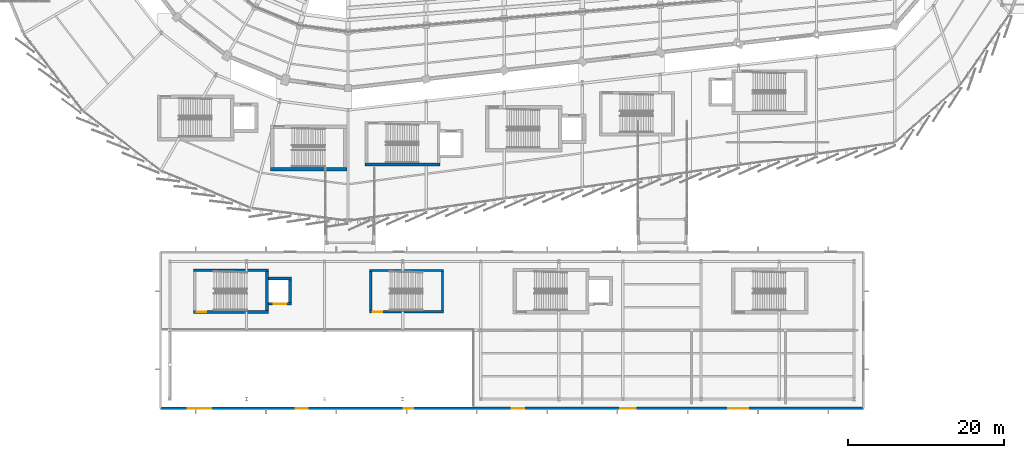
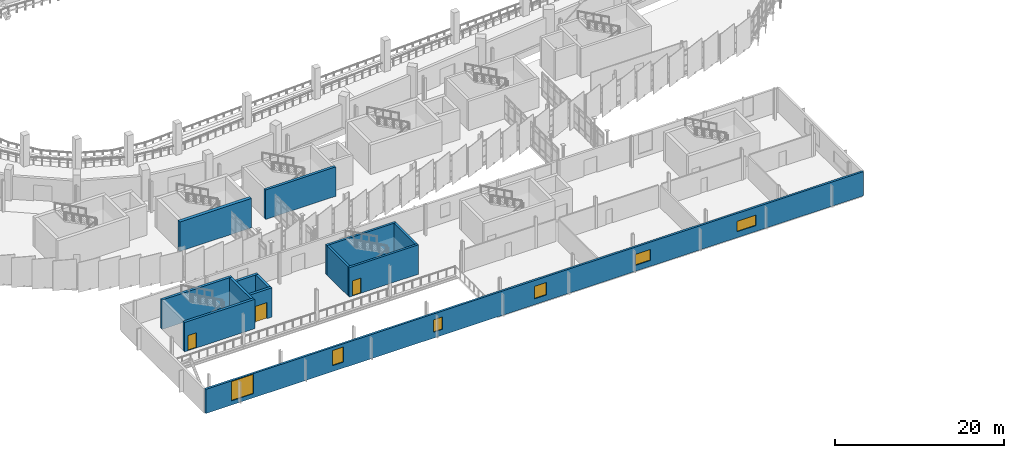
# One storey, part 107 of 134: 13 walls, 6 windows, 3 doors, 9 openings.
"""IFC4 building model written with IfcOpenShell, lengths in metres."""

from ifc_helpers import new_model, si_unit, direction, frame, frame_2d, origin, place, context, subcontext, project, spatial, rectangle, extrude, material, layer, layer_set, type_object, element, fill, save


model = new_model("IFC4")

# Units and contexts
model_context = context("Model", 3, precision=1e-05, world=origin(), true_north=direction((0.0, 1.0)))
body_context = subcontext(model_context, "Body", "Model", "MODEL_VIEW")
ifc_project = project(units=[si_unit("LENGTHUNIT", "METRE"), si_unit("AREAUNIT", "SQUARE_METRE"), si_unit("VOLUMEUNIT", "CUBIC_METRE"), si_unit("PLANEANGLEUNIT", "RADIAN"), si_unit("MASSUNIT", "GRAM", prefix="KILO")], contexts=[model_context])

# Site, building, storey
site_placement = place(None, origin())
site = spatial("IfcSite", under=ifc_project, at=site_placement, CompositionType="ELEMENT")
building_placement = place(site_placement, origin())
building = spatial("IfcBuilding", under=site, at=building_placement, Name="Sohan Crest Arena", CompositionType="ELEMENT")
storey_placement = place(building_placement, frame((0.0, 0.0, 4.5)))
storey = spatial("IfcBuildingStorey", under=building, at=storey_placement, Name="L01", CompositionType="ELEMENT", Elevation=4.5)

# Wall, openings, windows
ifc_material_1 = material(Name="Clinker brick and ceramic mosaic envelope wall", Category="masonry")
ifc_layer_1 = layer(ifc_material_1, 0.280029296875, Name="Clinker brick and ceramic mosaic envelope wall")
ifc_layer_set_1 = layer_set([ifc_layer_1], Name="Clinker brick and ceramic mosaic envelope wall")
wall_type_1 = type_object("IfcWallType", Name="WAL-EW02", PredefinedType="SOLIDWALL", material=ifc_layer_set_1)
wall_1_placement = place(storey_placement, frame((74.0, 6.0, 0.0), z_axis=(0.0, 0.0, 1.0), x_axis=(1.0, 0.0, 0.0)))
wall_1 = element("IfcWall", 1, at=wall_1_placement, inside=storey, type_object=wall_type_1, Name="External wall EW-130", PredefinedType="SOLIDWALL", context=body_context, shape_type="SweptSolid", body=[
    extrude(rectangle(XDim=90.0, YDim=0.280029296875, at=frame_2d((45.0, 0.0))), origin(), (0.0, 0.0, 1.0), 3.5),
])
opening_1_placement = place(wall_1_placement, frame((3.5, 0.0, 0.60009765625)))
opening_1 = element("IfcOpeningElement", 2, at=opening_1_placement, cuts=wall_1, Name="Opening W-037", PredefinedType="OPENING", context=body_context, shape_type="SweptSolid", body=[
    extrude(rectangle(XDim=3.0, YDim=2.800048828125, at=frame_2d((1.5, 1.39990234375))), frame((0.0, 0.14990234375, 0.0), z_axis=(0.0, -1.0, 0.0), x_axis=(1.0, 0.0, 0.0)), (0.0, 0.0, 1.0), 0.300048828125),
])
opening_2_placement = place(wall_1_placement, frame((17.3330078125, 0.0, 0.85009765625)))
opening_2 = element("IfcOpeningElement", 3, at=opening_2_placement, cuts=wall_1, Name="Opening W-038", PredefinedType="OPENING", context=body_context, shape_type="SweptSolid", body=[
    extrude(rectangle(XDim=1.5, YDim=2.199951171875, at=frame_2d((0.75, 1.10009765625))), frame((0.0, 0.14990234375, 0.0), z_axis=(0.0, -1.0, 0.0), x_axis=(1.0, 0.0, 0.0)), (0.0, 0.0, 1.0), 0.300048828125),
])
opening_3_placement = place(wall_1_placement, frame((31.1669921875, 0.0, 0.85009765625)))
opening_3 = element("IfcOpeningElement", 4, at=opening_3_placement, cuts=wall_1, Name="Opening W-039", PredefinedType="OPENING", context=body_context, shape_type="SweptSolid", body=[
    extrude(rectangle(XDim=1.199951171875, YDim=1.800048828125, at=frame_2d((0.60009765625, 0.89990234375))), frame((0.0, 0.14990234375, 0.0), z_axis=(0.0, -1.0, 0.0), x_axis=(1.0, 0.0, 0.0)), (0.0, 0.0, 1.0), 0.300048828125),
])
opening_4_placement = place(wall_1_placement, frame((45.0, 0.0, 0.85009765625)))
opening_4 = element("IfcOpeningElement", 5, at=opening_4_placement, cuts=wall_1, Name="Opening W-040", PredefinedType="OPENING", context=body_context, shape_type="SweptSolid", body=[
    extrude(rectangle(XDim=1.60009765625, YDim=1.800048828125, at=frame_2d((0.800048828125, 0.89990234375))), frame((0.0, 0.14990234375, 0.0), z_axis=(0.0, -1.0, 0.0), x_axis=(1.0, 0.0, 0.0)), (0.0, 0.0, 1.0), 0.300048828125),
])
opening_5_placement = place(wall_1_placement, frame((58.8330078125, 0.0, 0.85009765625)))
opening_5 = element("IfcOpeningElement", 6, at=opening_5_placement, cuts=wall_1, Name="Opening W-041", PredefinedType="OPENING", context=body_context, shape_type="SweptSolid", body=[
    extrude(rectangle(XDim=2.0, YDim=1.60009765625, at=frame_2d((1.0, 0.800048828125))), frame((0.0, 0.14990234375, 0.0), z_axis=(0.0, -1.0, 0.0), x_axis=(1.0, 0.0, 0.0)), (0.0, 0.0, 1.0), 0.300048828125),
])
opening_6_placement = place(wall_1_placement, frame((72.6669921875, 0.0, 0.85009765625)))
opening_6 = element("IfcOpeningElement", 7, at=opening_6_placement, cuts=wall_1, Name="Opening W-042", PredefinedType="OPENING", context=body_context, shape_type="SweptSolid", body=[
    extrude(rectangle(XDim=2.60009765625, YDim=1.5, at=frame_2d((1.300048828125, 0.75))), frame((0.0, 0.14990234375, 0.0), z_axis=(0.0, -1.0, 0.0), x_axis=(1.0, 0.0, 0.0)), (0.0, 0.0, 1.0), 0.300048828125),
])
ifc_material_2 = material(Name="Low-E double-glazed insulated glass", Category="glass")
window_type_1 = type_object("IfcWindowType", Name="WIN-W05", PartitioningType="SINGLE_PANEL", PredefinedType="WINDOW", material=ifc_material_2)
window_1_placement = place(opening_1_placement, origin())
window_1 = element("IfcWindow", 8, at=window_1_placement, inside=storey, type_object=window_type_1, Name="Catalan arched wing window W-037", OverallHeight=2.800048828125, OverallWidth=3.0, PartitioningType="SINGLE_PANEL", PredefinedType="WINDOW", context=body_context, shape_type="SweptSolid", body=[
    extrude(rectangle(XDim=3.0, YDim=2.800048828125, at=frame_2d((1.5, 1.39990234375))), frame((0.0, 0.030029296875, 0.0), z_axis=(0.0, -1.0, 0.0), x_axis=(1.0, 0.0, 0.0)), (0.0, 0.0, 1.0), 0.06005859375),
])
fill(opening_1, window_1)
window_type_2 = type_object("IfcWindowType", Name="WIN-W06", PartitioningType="SINGLE_PANEL", PredefinedType="WINDOW", material=ifc_material_2)
window_2_placement = place(opening_2_placement, origin())
window_2 = element("IfcWindow", 9, at=window_2_placement, inside=storey, type_object=window_type_2, Name="Catalan arched wing window W-038", OverallHeight=2.199951171875, OverallWidth=1.5, PartitioningType="SINGLE_PANEL", PredefinedType="WINDOW", context=body_context, shape_type="SweptSolid", body=[
    extrude(rectangle(XDim=1.5, YDim=2.199951171875, at=frame_2d((0.75, 1.10009765625))), frame((0.0, 0.030029296875, 0.0), z_axis=(0.0, -1.0, 0.0), x_axis=(1.0, 0.0, 0.0)), (0.0, 0.0, 1.0), 0.06005859375),
])
fill(opening_2, window_2)
window_type_3 = type_object("IfcWindowType", Name="WIN-W07", PartitioningType="SINGLE_PANEL", PredefinedType="WINDOW", material=ifc_material_2)
window_3_placement = place(opening_3_placement, origin())
window_3 = element("IfcWindow", 10, at=window_3_placement, inside=storey, type_object=window_type_3, Name="Catalan arched wing window W-039", OverallHeight=1.800048828125, OverallWidth=1.199951171875, PartitioningType="SINGLE_PANEL", PredefinedType="WINDOW", context=body_context, shape_type="SweptSolid", body=[
    extrude(rectangle(XDim=1.199951171875, YDim=1.800048828125, at=frame_2d((0.60009765625, 0.89990234375))), frame((0.0, 0.030029296875, 0.0), z_axis=(0.0, -1.0, 0.0), x_axis=(1.0, 0.0, 0.0)), (0.0, 0.0, 1.0), 0.06005859375),
])
fill(opening_3, window_3)
window_type_4 = type_object("IfcWindowType", Name="WIN-W08", PartitioningType="SINGLE_PANEL", PredefinedType="WINDOW", material=ifc_material_2)
window_4_placement = place(opening_4_placement, origin())
window_4 = element("IfcWindow", 11, at=window_4_placement, inside=storey, type_object=window_type_4, Name="Catalan arched wing window W-040", OverallHeight=1.800048828125, OverallWidth=1.60009765625, PartitioningType="SINGLE_PANEL", PredefinedType="WINDOW", context=body_context, shape_type="SweptSolid", body=[
    extrude(rectangle(XDim=1.60009765625, YDim=1.800048828125, at=frame_2d((0.800048828125, 0.89990234375))), frame((0.0, 0.030029296875, 0.0), z_axis=(0.0, -1.0, 0.0), x_axis=(1.0, 0.0, 0.0)), (0.0, 0.0, 1.0), 0.06005859375),
])
fill(opening_4, window_4)
window_type_5 = type_object("IfcWindowType", Name="WIN-W09", PartitioningType="SINGLE_PANEL", PredefinedType="WINDOW", material=ifc_material_2)
window_5_placement = place(opening_5_placement, origin())
window_5 = element("IfcWindow", 12, at=window_5_placement, inside=storey, type_object=window_type_5, Name="Catalan arched wing window W-041", OverallHeight=1.60009765625, OverallWidth=2.0, PartitioningType="SINGLE_PANEL", PredefinedType="WINDOW", context=body_context, shape_type="SweptSolid", body=[
    extrude(rectangle(XDim=2.0, YDim=1.60009765625, at=frame_2d((1.0, 0.800048828125))), frame((0.0, 0.030029296875, 0.0), z_axis=(0.0, -1.0, 0.0), x_axis=(1.0, 0.0, 0.0)), (0.0, 0.0, 1.0), 0.06005859375),
])
fill(opening_5, window_5)
window_type_6 = type_object("IfcWindowType", Name="WIN-W10", PartitioningType="SINGLE_PANEL", PredefinedType="WINDOW", material=ifc_material_2)
window_6_placement = place(opening_6_placement, origin())
window_6 = element("IfcWindow", 13, at=window_6_placement, inside=storey, type_object=window_type_6, Name="Catalan arched wing window W-042", OverallHeight=1.5, OverallWidth=2.60009765625, PartitioningType="SINGLE_PANEL", PredefinedType="WINDOW", context=body_context, shape_type="SweptSolid", body=[
    extrude(rectangle(XDim=2.60009765625, YDim=1.5, at=frame_2d((1.300048828125, 0.75))), frame((0.0, 0.030029296875, 0.0), z_axis=(0.0, -1.0, 0.0), x_axis=(1.0, 0.0, 0.0)), (0.0, 0.0, 1.0), 0.06005859375),
])
fill(opening_6, window_6)

# Walls
ifc_material_3 = material(Name="Concrete C40/50", Category="concrete")
ifc_layer_2 = layer(ifc_material_3, 0.300048828125, Name="Concrete C40/50")
ifc_layer_set_2 = layer_set([ifc_layer_2], Name="Concrete C40/50")
wall_type_2 = type_object("IfcWallType", Name="WAL-SW01", PredefinedType="SHEAR", material=ifc_layer_set_2)
for number, where, z_axis, x_axis, name in (
    (14, (100.89990234375, 18.5, 0.0), (0.0, 0.0, 1.0), (0.0, 1.0, 0.0), "Core shear wall SW-0515"),
    (15, (110.10009765625, 18.5, 0.0), (0.0, 0.0, 1.0), (0.0, 1.0, 0.0), "Core shear wall SW-0516"),
):
    element("IfcWall", number, at=place(storey_placement, frame(where, z_axis=z_axis, x_axis=x_axis)), inside=storey, type_object=wall_type_2, Name=name, PredefinedType="SHEAR", context=body_context, shape_type="SweptSolid", body=[
        extrude(rectangle(XDim=5.0, YDim=0.300048828125, at=frame_2d((2.5, 0.0))), origin(), (0.0, 0.0, 1.0), 4.25),
    ])

# Wall, opening, door
wall_2_placement = place(storey_placement, frame((100.75, 18.35009765625, 0.0), z_axis=(0.0, 0.0, 1.0), x_axis=(1.0, 0.0, 0.0)))
wall_2 = element("IfcWall", 16, at=wall_2_placement, inside=storey, type_object=wall_type_2, Name="Core shear wall SW-0517", PredefinedType="SHEAR", context=body_context, shape_type="SweptSolid", body=[
    extrude(rectangle(XDim=9.5, YDim=0.300048828125, at=frame_2d((4.75, 0.0))), origin(), (0.0, 0.0, 1.0), 4.25),
])
opening_7_placement = place(wall_2_placement, frame((0.449951171875, 0.0, 0.0)))
opening_7 = element("IfcOpeningElement", 17, at=opening_7_placement, cuts=wall_2, Name="Opening SD-0142", PredefinedType="OPENING", context=body_context, shape_type="SweptSolid", body=[
    extrude(rectangle(XDim=1.199951171875, YDim=2.199951171875, at=frame_2d((0.60009765625, 1.10009765625))), frame((0.0, 0.159912109375, 0.0), z_axis=(0.0, -1.0, 0.0), x_axis=(1.0, 0.0, 0.0)), (0.0, 0.0, 1.0), 0.320068359375),
])
ifc_material_4 = material(Name="Fire-rated steel stair and lobby door", Category="steel")
door_type_1 = type_object("IfcDoorType", Name="DR-FD04", OperationType="NOTDEFINED", PredefinedType="DOOR", material=ifc_material_4)
door_1_placement = place(opening_7_placement, frame((1.199951171875, 0.0, 0.0), z_axis=(0.0, 0.0, 1.0), x_axis=(-1.0, 0.0, 0.0)))
door_1 = element("IfcDoor", 18, at=door_1_placement, inside=storey, type_object=door_type_1, Name="Protected stair door SD-0142", OperationType="SINGLE_SWING_RIGHT", OverallHeight=2.199951171875, OverallWidth=1.199951171875, PredefinedType="DOOR", context=body_context, shape_type="SweptSolid", body=[
    extrude(rectangle(XDim=1.199951171875, YDim=2.199951171875, at=frame_2d((0.60009765625, 1.10009765625))), frame((0.0, 0.02490234375, 0.0), z_axis=(0.0, -1.0, 0.0), x_axis=(1.0, 0.0, 0.0)), (0.0, 0.0, 1.0), 0.050048828125),
])
fill(opening_7, door_1)

# Walls
wall_3_placement = place(storey_placement, frame((100.75, 23.64990234375, 0.0), z_axis=(0.0, 0.0, 1.0), x_axis=(1.0, 0.0, 0.0)))
element("IfcWall", 19, at=wall_3_placement, inside=storey, type_object=wall_type_2, Name="Core shear wall SW-0518", PredefinedType="SHEAR", context=body_context, shape_type="SweptSolid", body=[
    extrude(rectangle(XDim=9.5, YDim=0.300048828125, at=frame_2d((4.75, 0.0))), origin(), (0.0, 0.0, 1.0), 4.25),
])
ifc_layer_3 = layer(ifc_material_3, 0.35009765625, Name="Concrete C40/50")
ifc_layer_set_3 = layer_set([ifc_layer_3], Name="Concrete C40/50")
wall_type_3 = type_object("IfcWallType", Name="WAL-SW02", PredefinedType="SHEAR", material=ifc_layer_set_3)
wall_4_placement = place(storey_placement, frame((100.199951171875, 37.22509765625, 0.0), z_axis=(0.0, 0.0, 1.0), x_axis=(1.0, 0.0, 0.0)))
element("IfcWall", 20, at=wall_4_placement, inside=storey, type_object=wall_type_3, Name="Core shear wall SW-0252", PredefinedType="SHEAR", context=body_context, shape_type="SweptSolid", body=[
    extrude(rectangle(XDim=9.60009765625, YDim=0.35009765625, at=frame_2d((4.800048828125, 0.0))), origin(), (0.0, 0.0, 1.0), 4.25),
])
wall_5_placement = place(storey_placement, frame((87.625, 18.5, 0.0), z_axis=(0.0, 0.0, 1.0), x_axis=(0.0, 1.0, 0.0)))
element("IfcWall", 21, at=wall_5_placement, inside=storey, type_object=wall_type_3, Name="Core shear wall SW-0664", PredefinedType="SHEAR", context=body_context, shape_type="SweptSolid", body=[
    extrude(rectangle(XDim=5.0, YDim=0.35009765625, at=frame_2d((2.5, 0.0))), origin(), (0.0, 0.0, 1.0), 4.25),
])

# Wall, opening, door
wall_6_placement = place(storey_placement, frame((78.199951171875, 18.324951171875, 0.0), z_axis=(0.0, 0.0, 1.0), x_axis=(1.0, 0.0, 0.0)))
wall_6 = element("IfcWall", 22, at=wall_6_placement, inside=storey, type_object=wall_type_3, Name="Core shear wall SW-0665", PredefinedType="SHEAR", context=body_context, shape_type="SweptSolid", body=[
    extrude(rectangle(XDim=9.60009765625, YDim=0.35009765625, at=frame_2d((4.800048828125, 0.0))), origin(), (0.0, 0.0, 1.0), 4.25),
])
opening_8_placement = place(wall_6_placement, frame((0.449951171875, 0.0, 0.0)))
opening_8 = element("IfcOpeningElement", 23, at=opening_8_placement, cuts=wall_6, Name="Opening SD-0179", PredefinedType="OPENING", context=body_context, shape_type="SweptSolid", body=[
    extrude(rectangle(XDim=1.199951171875, YDim=2.199951171875, at=frame_2d((0.60009765625, 1.10009765625))), frame((0.0, 0.18505859375, 0.0), z_axis=(0.0, -1.0, 0.0), x_axis=(1.0, 0.0, 0.0)), (0.0, 0.0, 1.0), 0.3701171875),
])
door_2_placement = place(opening_8_placement, frame((1.199951171875, 0.0, 0.0), z_axis=(0.0, 0.0, 1.0), x_axis=(-1.0, 0.0, 0.0)))
door_2 = element("IfcDoor", 24, at=door_2_placement, inside=storey, type_object=door_type_1, Name="Protected stair door SD-0179", OperationType="SINGLE_SWING_LEFT", OverallHeight=2.199951171875, OverallWidth=1.199951171875, PredefinedType="DOOR", context=body_context, shape_type="SweptSolid", body=[
    extrude(rectangle(XDim=1.199951171875, YDim=2.199951171875, at=frame_2d((0.60009765625, 1.10009765625))), frame((0.0, 0.02490234375, 0.0), z_axis=(0.0, -1.0, 0.0), x_axis=(1.0, 0.0, 0.0)), (0.0, 0.0, 1.0), 0.050048828125),
])
fill(opening_8, door_2)

# Walls
wall_7_placement = place(storey_placement, frame((78.199951171875, 23.675048828125, 0.0), z_axis=(0.0, 0.0, 1.0), x_axis=(1.0, 0.0, 0.0)))
element("IfcWall", 25, at=wall_7_placement, inside=storey, type_object=wall_type_3, Name="Core shear wall SW-0666", PredefinedType="SHEAR", context=body_context, shape_type="SweptSolid", body=[
    extrude(rectangle(XDim=9.60009765625, YDim=0.35009765625, at=frame_2d((4.800048828125, 0.0))), origin(), (0.0, 0.0, 1.0), 4.25),
])
wall_8_placement = place(storey_placement, frame((90.574951171875, 19.550048828125, 0.0), z_axis=(0.0, 0.0, 1.0), x_axis=(0.0, 1.0, 0.0)))
element("IfcWall", 26, at=wall_8_placement, inside=storey, type_object=wall_type_3, Name="Core shear wall SW-0667", PredefinedType="SHEAR", context=body_context, shape_type="SweptSolid", body=[
    extrude(rectangle(XDim=2.89990234375, YDim=0.35009765625, at=frame_2d((1.449951171875, 0.0))), origin(), (0.0, 0.0, 1.0), 4.25),
])

# Wall, opening, door
wall_9_placement = place(storey_placement, frame((87.800048828125, 19.375, 0.0), z_axis=(0.0, 0.0, 1.0), x_axis=(1.0, 0.0, 0.0)))
wall_9 = element("IfcWall", 27, at=wall_9_placement, inside=storey, type_object=wall_type_3, Name="Core shear wall SW-0668", PredefinedType="SHEAR", context=body_context, shape_type="SweptSolid", body=[
    extrude(rectangle(XDim=2.949951171875, YDim=0.35009765625, at=frame_2d((1.47509765625, 0.0))), origin(), (0.0, 0.0, 1.0), 4.25),
])
opening_9_placement = place(wall_9_placement, frame((0.675048828125, 0.0, 0.0)))
opening_9 = element("IfcOpeningElement", 28, at=opening_9_placement, cuts=wall_9, Name="Opening LD-GF01-L01", PredefinedType="OPENING", context=body_context, shape_type="SweptSolid", body=[
    extrude(rectangle(XDim=1.60009765625, YDim=2.35009765625, at=frame_2d((0.800048828125, 1.175048828125))), frame((0.0, 0.18505859375, 0.0), z_axis=(0.0, -1.0, 0.0), x_axis=(1.0, 0.0, 0.0)), (0.0, 0.0, 1.0), 0.3701171875),
])
ifc_material_5 = material(Name="Stainless steel goods lift landing door", Category="steel")
door_type_2 = type_object("IfcDoorType", Name="DR-LD03", OperationType="SLIDING_TO_LEFT", PredefinedType="DOOR", material=ifc_material_5)
door_3_placement = place(opening_9_placement, origin())
door_3 = element("IfcDoor", 29, at=door_3_placement, inside=storey, type_object=door_type_2, Name="Sliding lift landing door LD-GF01-L01", OperationType="SLIDING_TO_LEFT", OverallHeight=2.35009765625, OverallWidth=1.60009765625, PredefinedType="DOOR", context=body_context, shape_type="SweptSolid", body=[
    extrude(rectangle(XDim=1.60009765625, YDim=2.35009765625, at=frame_2d((0.800048828125, 1.175048828125))), frame((0.0, 0.02490234375, 0.0), z_axis=(0.0, -1.0, 0.0), x_axis=(1.0, 0.0, 0.0)), (0.0, 0.0, 1.0), 0.050048828125),
])
fill(opening_9, door_3)

# Walls
wall_10_placement = place(storey_placement, frame((87.800048828125, 22.625, 0.0), z_axis=(0.0, 0.0, 1.0), x_axis=(1.0, 0.0, 0.0)))
element("IfcWall", 30, at=wall_10_placement, inside=storey, type_object=wall_type_3, Name="Core shear wall SW-0669", PredefinedType="SHEAR", context=body_context, shape_type="SweptSolid", body=[
    extrude(rectangle(XDim=2.949951171875, YDim=0.35009765625, at=frame_2d((1.47509765625, 0.0))), origin(), (0.0, 0.0, 1.0), 4.25),
])
ifc_layer_4 = layer(ifc_material_3, 0.449951171875, Name="Concrete C40/50")
ifc_layer_set_4 = layer_set([ifc_layer_4], Name="Concrete C40/50")
wall_type_4 = type_object("IfcWallType", Name="WAL-SW04", PredefinedType="SHEAR", material=ifc_layer_set_4)
wall_11_placement = place(storey_placement, frame((88.10009765625, 36.635009765625, 0.0), z_axis=(0.0, 0.0, 1.0), x_axis=(1.0, 0.0, 0.0)))
element("IfcWall", 31, at=wall_11_placement, inside=storey, type_object=wall_type_4, Name="Core shear wall SW-0743", PredefinedType="SHEAR", context=body_context, shape_type="SweptSolid", body=[
    extrude(rectangle(XDim=9.7998046875, YDim=0.449951171875, at=frame_2d((4.89990234375, 0.0))), origin(), (0.0, 0.0, 1.0), 4.25),
])

save(model, "model.ifc")
